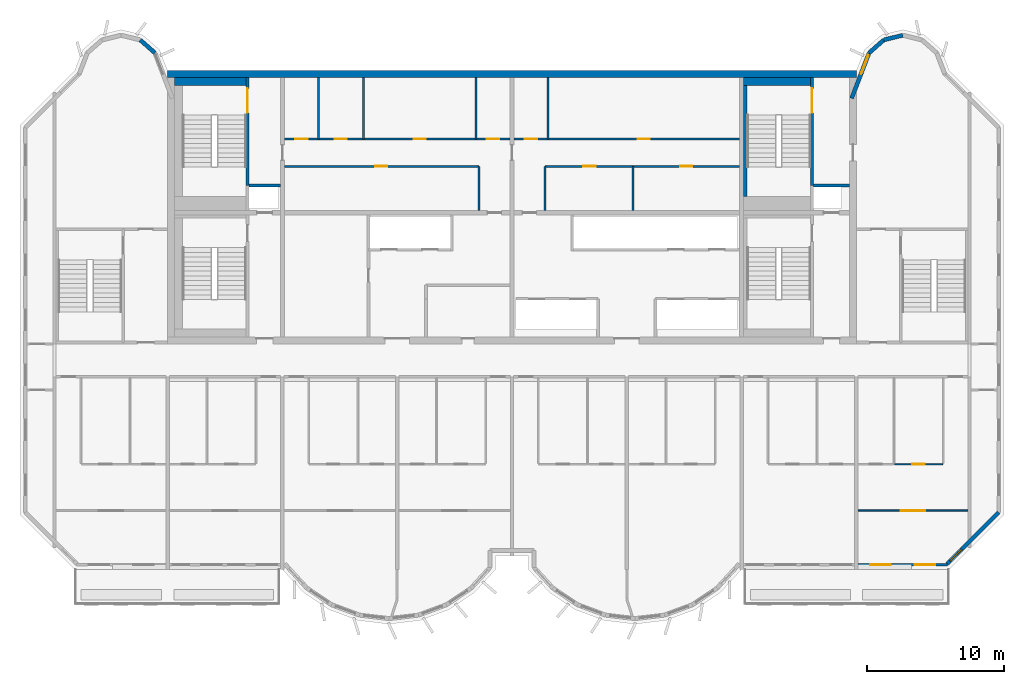
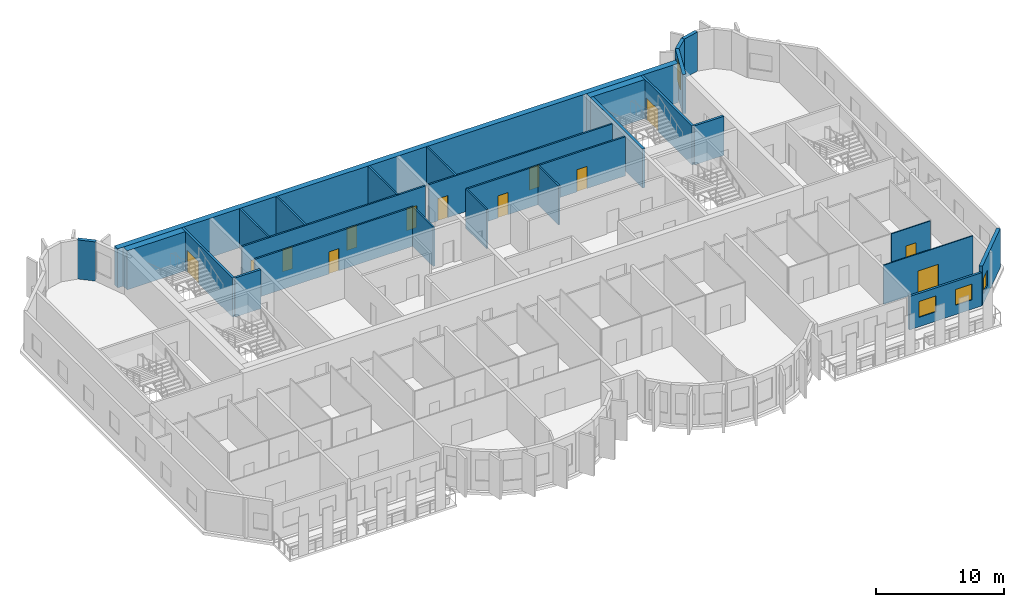
# One storey, part 7 of 12: 27 walls, 13 doors, 4 windows, 17 openings.
"""IFC4 building model written with IfcOpenShell, lengths in metres."""

from ifc_helpers import new_model, si_unit, direction, frame, frame_2d, origin, place, context, subcontext, project, spatial, rectangle, extrude, source, transform, mapped, material, layer, layer_set, type_object, element, fill, save


model = new_model("IFC4")

# Units and contexts
model_context = context("Model", 3, precision=1e-05, world=origin(), true_north=direction((0.0, 1.0)))
body_context = subcontext(model_context, "Body", "Model", "MODEL_VIEW")
ifc_project = project(units=[si_unit("LENGTHUNIT", "METRE"), si_unit("AREAUNIT", "SQUARE_METRE"), si_unit("VOLUMEUNIT", "CUBIC_METRE"), si_unit("PLANEANGLEUNIT", "RADIAN"), si_unit("MASSUNIT", "GRAM", prefix="KILO")], contexts=[model_context])

# Site, building, storey
site_placement = place(None, origin())
site = spatial("IfcSite", under=ifc_project, at=site_placement, CompositionType="ELEMENT")
building_placement = place(site_placement, origin())
building = spatial("IfcBuilding", under=site, at=building_placement, Name="Vanashikhar Sky Hotel", CompositionType="ELEMENT")
storey_placement = place(building_placement, frame((0.0, 0.0, 285.699951171875)))
storey = spatial("IfcBuildingStorey", under=building, at=storey_placement, Name="L68", CompositionType="ELEMENT", Elevation=285.699951171875)

# Wall
ifc_material_1 = material(Name="Concrete M50", Category="concrete")
ifc_layer_1 = layer(ifc_material_1, 0.5)
ifc_layer_set_1 = layer_set([ifc_layer_1], Name="RC core shell wall 500 Concrete M50")
wall_type_1 = type_object("IfcWallType", Name="RC core shell wall 500 Concrete M50", PredefinedType="SHEAR", material=ifc_layer_set_1)
shared_shape_1 = source(origin(), body_context, "Body", "SweptSolid", [
    extrude(rectangle(XDim=50.400146484375, YDim=0.5, at=frame_2d((25.2001953125, 0.0))), origin(), (0.0, 0.0, 1.0), 3.719970703125),
])
wall_1_placement = place(storey_placement, frame((25.199951171875, 41.75, 0.0), z_axis=(0.0, 0.0, 1.0), x_axis=(1.0, 0.0, 0.0)))
element("IfcWall", 1, at=wall_1_placement, inside=storey, type_object=wall_type_1, Name="KW-L68-KN", PredefinedType="SHEAR", context=body_context, shape_type="MappedRepresentation", body=[
    mapped(shared_shape_1, transform((0.0, 0.0, 0.0), scale=1.0)),
])

# Wall, openings, windows
ifc_layer_2 = layer(ifc_material_1, 0.199951171875)
ifc_layer_set_2 = layer_set([ifc_layer_2], Name="Front window wall 200")
wall_type_2 = type_object("IfcWallType", Name="Front window wall 200", PredefinedType="SOLIDWALL", material=ifc_layer_set_2)
shared_shape_2 = source(origin(), body_context, "Body", "SweptSolid", [
    extrude(rectangle(XDim=6.52978515625, YDim=0.199951171875, at=frame_2d((3.264892578125, 0.0))), origin(), (0.0, 0.0, 1.0), 3.170166015625),
])
wall_2_placement = place(storey_placement, frame((75.72509765625, 5.85009765625, 0.0), z_axis=(0.0, 0.0, 1.0), x_axis=(1.0, 0.0, 0.0)))
wall_2 = element("IfcWall", 2, at=wall_2_placement, inside=storey, type_object=wall_type_2, Name="Front window wall", PredefinedType="SOLIDWALL", context=body_context, shape_type="MappedRepresentation", body=[
    mapped(shared_shape_2, transform((0.0, 0.0, 0.0), scale=1.0)),
])
shared_shape_3 = source(origin(), body_context, "Body", "SweptSolid", [
    extrude(rectangle(XDim=1.5, YDim=1.5, at=frame_2d((0.75, 0.75))), frame((0.0, 0.10986328125, 0.0), z_axis=(0.0, -1.0, 0.0), x_axis=(1.0, 0.0, 0.0)), (0.0, 0.0, 1.0), 0.219970703125),
])
opening_1_placement = place(wall_2_placement, frame((0.882568359375, 0.0, 0.89990234375)))
opening_1 = element("IfcOpeningElement", 3, at=opening_1_placement, cuts=wall_2, Name="Opening WN-1", PredefinedType="OPENING", context=body_context, shape_type="MappedRepresentation", body=[
    mapped(shared_shape_3, transform((0.0, 0.0, 0.0), scale=1.0)),
])
opening_2_placement = place(wall_2_placement, frame((4.1474609375, 0.0, 0.89990234375)))
opening_2 = element("IfcOpeningElement", 4, at=opening_2_placement, cuts=wall_2, Name="Opening WN-1", PredefinedType="OPENING", context=body_context, shape_type="MappedRepresentation", body=[
    mapped(shared_shape_3, transform((0.0, 0.0, 0.0), scale=1.0)),
])
ifc_material_2 = material(Name="Glass", Category="glass")
window_type_1 = type_object("IfcWindowType", Name="Window 1500 x 1500", PartitioningType="SINGLE_PANEL", PredefinedType="WINDOW", material=ifc_material_2)
shared_shape_4 = source(origin(), body_context, "Body", "SweptSolid", [
    extrude(rectangle(XDim=1.5, YDim=1.5, at=frame_2d((0.75, 0.75))), frame((0.0, 0.030029296875, 0.0), z_axis=(0.0, -1.0, 0.0), x_axis=(1.0, 0.0, 0.0)), (0.0, 0.0, 1.0), 0.06005859375),
])
window_1_placement = place(opening_1_placement, origin())
window_1 = element("IfcWindow", 5, at=window_1_placement, inside=storey, type_object=window_type_1, Name="Window WN-1", OverallHeight=1.5, OverallWidth=1.5, PartitioningType="SINGLE_PANEL", PredefinedType="WINDOW", context=body_context, shape_type="MappedRepresentation", body=[
    mapped(shared_shape_4, transform((0.0, 0.0, 0.0), scale=1.0)),
])
fill(opening_1, window_1)
window_2_placement = place(opening_2_placement, origin())
window_2 = element("IfcWindow", 6, at=window_2_placement, inside=storey, type_object=window_type_1, Name="Window WN-1", OverallHeight=1.5, OverallWidth=1.5, PartitioningType="SINGLE_PANEL", PredefinedType="WINDOW", context=body_context, shape_type="MappedRepresentation", body=[
    mapped(shared_shape_4, transform((0.0, 0.0, 0.0), scale=1.0)),
])
fill(opening_2, window_2)

# Wall, opening, window
ifc_layer_3 = layer(ifc_material_1, 0.300048828125)
ifc_layer_set_3 = layer_set([ifc_layer_3], Name="Lobe wall 300")
wall_type_3 = type_object("IfcWallType", Name="Lobe wall 300", PredefinedType="SOLIDWALL", material=ifc_layer_set_3)
shared_shape_5 = source(origin(), body_context, "Body", "SweptSolid", [
    extrude(rectangle(XDim=5.32568359375, YDim=0.300048828125, at=frame_2d((2.662841796875, 0.0))), origin(), (0.0, 0.0, 1.0), 3.719970703125),
])
wall_3_placement = place(storey_placement, frame((82.234375, 5.89990234375, 0.0), z_axis=(0.0, 0.0, 1.0), x_axis=(0.707083859269, 0.707129702361, 0.0)))
wall_3 = element("IfcWall", 7, at=wall_3_placement, inside=storey, type_object=wall_type_3, Name="Corner wall", PredefinedType="SOLIDWALL", context=body_context, shape_type="MappedRepresentation", body=[
    mapped(shared_shape_5, transform((0.0, 0.0, 0.0), scale=1.0)),
])
shared_shape_6 = source(origin(), body_context, "Body", "SweptSolid", [
    extrude(rectangle(XDim=1.199951171875, YDim=1.5, at=frame_2d((0.60009765625, 0.75))), frame((0.0, 0.16015625, 0.0), z_axis=(0.0, -1.0, 0.0), x_axis=(1.0, 0.0, 0.0)), (0.0, 0.0, 1.0), 0.320068359375),
])
opening_3_placement = place(wall_3_placement, frame((0.31005859375, 0.0, 0.89990234375)))
opening_3 = element("IfcOpeningElement", 8, at=opening_3_placement, cuts=wall_3, Name="Opening WN-3", PredefinedType="OPENING", context=body_context, shape_type="MappedRepresentation", body=[
    mapped(shared_shape_6, transform((0.0, 0.0, 0.0), scale=1.0)),
])
window_type_2 = type_object("IfcWindowType", Name="Corridor end window 1200 x 1500", PartitioningType="SINGLE_PANEL", PredefinedType="WINDOW", material=ifc_material_2)
shared_shape_7 = source(origin(), body_context, "Body", "SweptSolid", [
    extrude(rectangle(XDim=1.199951171875, YDim=1.5, at=frame_2d((0.60009765625, 0.75))), frame((0.0, 0.030029296875, 0.0), z_axis=(0.0, -1.0, 0.0), x_axis=(1.0, 0.0, 0.0)), (0.0, 0.0, 1.0), 0.06005859375),
])
window_3_placement = place(opening_3_placement, origin())
window_3 = element("IfcWindow", 9, at=window_3_placement, inside=storey, type_object=window_type_2, Name="Window WN-3", OverallHeight=1.5, OverallWidth=1.199951171875, PartitioningType="SINGLE_PANEL", PredefinedType="WINDOW", context=body_context, shape_type="MappedRepresentation", body=[
    mapped(shared_shape_7, transform((0.0, 0.0, 0.0), scale=1.0)),
])
fill(opening_3, window_3)

# Walls
shared_shape_8 = source(origin(), body_context, "Body", "SweptSolid", [
    extrude(rectangle(XDim=1.43994140625, YDim=0.300048828125, at=frame_2d((0.719970703125, 0.0))), origin(), (0.0, 0.0, 1.0), 3.719970703125),
])
wall_4_placement = place(storey_placement, frame((77.602783203125, 44.2451171875, 0.0), z_axis=(0.0, 0.0, 1.0), x_axis=(-0.74957555648, -0.661918790432, 0.0)))
element("IfcWall", 10, at=wall_4_placement, inside=storey, type_object=wall_type_3, Name="Lobe wall", PredefinedType="SOLIDWALL", context=body_context, shape_type="MappedRepresentation", body=[
    mapped(shared_shape_8, transform((0.0, 0.0, 0.0), scale=1.0)),
])
shared_shape_9 = source(origin(), body_context, "Body", "SweptSolid", [
    extrude(rectangle(XDim=1.438720703125, YDim=0.300048828125, at=frame_2d((0.71923828125, 0.0))), origin(), (0.0, 0.0, 1.0), 3.719970703125),
])
wall_5_placement = place(storey_placement, frame((79.0, 44.588134765625, 0.0), z_axis=(0.0, 0.0, 1.0), x_axis=(-0.971161932466, -0.238420848351, 0.0)))
element("IfcWall", 11, at=wall_5_placement, inside=storey, type_object=wall_type_3, Name="Lobe wall", PredefinedType="SOLIDWALL", context=body_context, shape_type="MappedRepresentation", body=[
    mapped(shared_shape_9, transform((0.0, 0.0, 0.0), scale=1.0)),
])

# Wall, opening, window
shared_shape_10 = source(origin(), body_context, "Body", "SweptSolid", [
    extrude(rectangle(XDim=3.55908203125, YDim=0.300048828125, at=frame_2d((1.779541015625, 0.0))), origin(), (0.0, 0.0, 1.0), 3.719970703125),
])
wall_6_placement = place(storey_placement, frame((76.5234375, 43.2919921875, 0.0), z_axis=(0.0, 0.0, 1.0), x_axis=(-0.35779745313, -0.933799219604, 0.0)))
wall_6 = element("IfcWall", 12, at=wall_6_placement, inside=storey, type_object=wall_type_3, Name="Lobe wall", PredefinedType="SOLIDWALL", context=body_context, shape_type="MappedRepresentation", body=[
    mapped(shared_shape_10, transform((0.0, 0.0, 0.0), scale=1.0)),
])
shared_shape_11 = source(origin(), body_context, "Body", "SweptSolid", [
    extrude(rectangle(XDim=1.5, YDim=2.0, at=frame_2d((0.75, 1.0))), frame((0.0, 0.16015625, 0.0), z_axis=(0.0, -1.0, 0.0), x_axis=(1.0, 0.0, 0.0)), (0.0, 0.0, 1.0), 0.320068359375),
])
opening_4_placement = place(wall_6_placement, frame((0.156005859375, 0.0, 0.89990234375)))
opening_4 = element("IfcOpeningElement", 13, at=opening_4_placement, cuts=wall_6, Name="Opening WN-2", PredefinedType="OPENING", context=body_context, shape_type="MappedRepresentation", body=[
    mapped(shared_shape_11, transform((0.0, 0.0, 0.0), scale=1.0)),
])
window_type_3 = type_object("IfcWindowType", Name="Lobe window 1500 x 2000", PartitioningType="SINGLE_PANEL", PredefinedType="WINDOW", material=ifc_material_2)
shared_shape_12 = source(origin(), body_context, "Body", "SweptSolid", [
    extrude(rectangle(XDim=1.5, YDim=2.0, at=frame_2d((0.75, 1.0))), frame((0.0, 0.030029296875, 0.0), z_axis=(0.0, -1.0, 0.0), x_axis=(1.0, 0.0, 0.0)), (0.0, 0.0, 1.0), 0.06005859375),
])
window_4_placement = place(opening_4_placement, origin())
window_4 = element("IfcWindow", 14, at=window_4_placement, inside=storey, type_object=window_type_3, Name="Window WN-2", OverallHeight=2.0, OverallWidth=1.5, PartitioningType="SINGLE_PANEL", PredefinedType="WINDOW", context=body_context, shape_type="MappedRepresentation", body=[
    mapped(shared_shape_12, transform((0.0, 0.0, 0.0), scale=1.0)),
])
fill(opening_4, window_4)

# Walls
shared_shape_13 = source(origin(), body_context, "Body", "SweptSolid", [
    extrude(rectangle(XDim=1.440185546875, YDim=0.300048828125, at=frame_2d((0.72021484375, 0.0))), origin(), (0.0, 0.0, 1.0), 3.719970703125),
])
wall_7_placement = place(storey_placement, frame((24.276611328125, 43.2919921875, 0.0), z_axis=(0.0, 0.0, 1.0), x_axis=(-0.749649827867, 0.661834673902, 0.0)))
element("IfcWall", 15, at=wall_7_placement, inside=storey, type_object=wall_type_3, Name="Lobe wall", PredefinedType="SOLIDWALL", context=body_context, shape_type="MappedRepresentation", body=[
    mapped(shared_shape_13, transform((0.0, 0.0, 0.0), scale=1.0)),
])
ifc_material_3 = material(Name="Gypsum board partition")
ifc_layer_4 = layer(ifc_material_3, 0.14990234375)
ifc_layer_set_4 = layer_set([ifc_layer_4], Name="Service partition 150")
wall_type_4 = type_object("IfcWallType", Name="Service partition 150", PredefinedType="PARTITIONING", material=ifc_layer_set_4)
shared_shape_14 = source(origin(), body_context, "Body", "SweptSolid", [
    extrude(rectangle(XDim=3.25, YDim=0.14990234375, at=frame_2d((1.625, 0.0))), origin(), (0.0, 0.0, 1.0), 3.719970703125),
])
for number, where, z_axis, x_axis, name in (
    (16, (48.0, 31.75, 0.0), (0.0, 0.0, 1.0), (0.0, 1.0, 0.0), "Service partition 150"),
    (17, (52.800048828125, 31.75, 0.0), (0.0, 0.0, 1.0), (0.0, 1.0, 0.0), "Service partition 150"),
    (18, (59.25390625, 31.75, 0.0), (0.0, 0.0, 1.0), (0.0, 1.0, 0.0), "Service partition 150"),
):
    element("IfcWall", number, at=place(storey_placement, frame(where, z_axis=z_axis, x_axis=x_axis)), inside=storey, type_object=wall_type_4, Name=name, PredefinedType="PARTITIONING", context=body_context, shape_type="MappedRepresentation", body=[
        mapped(shared_shape_14, transform((0.0, 0.0, 0.0), scale=1.0)),
    ])

# Wall, opening, door
shared_shape_15 = source(origin(), body_context, "Body", "SweptSolid", [
    extrude(rectangle(XDim=14.25, YDim=0.14990234375, at=frame_2d((7.125, 0.0))), origin(), (0.0, 0.0, 1.0), 3.719970703125),
])
wall_8_placement = place(storey_placement, frame((33.75, 35.0, 0.0), z_axis=(0.0, 0.0, 1.0), x_axis=(1.0, 0.0, 0.0)))
wall_8 = element("IfcWall", 19, at=wall_8_placement, inside=storey, type_object=wall_type_4, Name="Service partition 150", PredefinedType="PARTITIONING", context=body_context, shape_type="MappedRepresentation", body=[
    mapped(shared_shape_15, transform((0.0, 0.0, 0.0), scale=1.0)),
])
shared_shape_16 = source(origin(), body_context, "Body", "SweptSolid", [
    extrude(rectangle(XDim=0.89990234375, YDim=2.10009765625, at=frame_2d((0.449951171875, 1.050048828125))), frame((0.0, 0.0849609375, 0.0), z_axis=(0.0, -1.0, 0.0), x_axis=(1.0, 0.0, 0.0)), (0.0, 0.0, 1.0), 0.169921875),
])
opening_5_placement = place(wall_8_placement, frame((6.636962890625, 0.0, 0.0)))
opening_5 = element("IfcOpeningElement", 20, at=opening_5_placement, cuts=wall_8, Name="Opening DC-4-A", PredefinedType="OPENING", context=body_context, shape_type="MappedRepresentation", body=[
    mapped(shared_shape_16, transform((0.0, 0.0, 0.0), scale=1.0)),
])
ifc_material_4 = material(Name="Steel", Category="steel")
door_type_1 = type_object("IfcDoorType", Name="Service door 900 FD60", OperationType="NOTDEFINED", PredefinedType="DOOR", material=ifc_material_4)
shared_shape_17 = source(origin(), body_context, "Body", "SweptSolid", [
    extrude(rectangle(XDim=0.89990234375, YDim=2.10009765625, at=frame_2d((0.449951171875, 1.050048828125))), frame((0.0, 0.02490234375, 0.0), z_axis=(0.0, -1.0, 0.0), x_axis=(1.0, 0.0, 0.0)), (0.0, 0.0, 1.0), 0.050048828125),
])
door_1_placement = place(opening_5_placement, origin())
door_1 = element("IfcDoor", 21, at=door_1_placement, inside=storey, type_object=door_type_1, Name="Service door 900 FD60", OperationType="SINGLE_SWING_LEFT", OverallHeight=2.10009765625, OverallWidth=0.89990234375, PredefinedType="DOOR", context=body_context, shape_type="MappedRepresentation", body=[
    mapped(shared_shape_17, transform((0.0, 0.0, 0.0), scale=1.0)),
])
fill(opening_5, door_1)

# Wall, openings, doors
wall_9_placement = place(storey_placement, frame((67.050048828125, 35.0, 0.0), z_axis=(0.0, 0.0, 1.0), x_axis=(-1.0, 0.0, 0.0)))
wall_9 = element("IfcWall", 22, at=wall_9_placement, inside=storey, type_object=wall_type_4, Name="Service partition 150", PredefinedType="PARTITIONING", context=body_context, shape_type="MappedRepresentation", body=[
    mapped(shared_shape_15, transform((0.0, 0.0, 0.0), scale=1.0)),
])
opening_6_placement = place(wall_9_placement, frame((3.447998046875, 0.0, 0.0)))
opening_6 = element("IfcOpeningElement", 23, at=opening_6_placement, cuts=wall_9, Name="Opening DC-4-A", PredefinedType="OPENING", context=body_context, shape_type="MappedRepresentation", body=[
    mapped(shared_shape_16, transform((0.0, 0.0, 0.0), scale=1.0)),
])
opening_7_placement = place(wall_9_placement, frame((10.535888671875, 0.0, 0.0)))
opening_7 = element("IfcOpeningElement", 24, at=opening_7_placement, cuts=wall_9, Name="Opening DC-4-A", PredefinedType="OPENING", context=body_context, shape_type="MappedRepresentation", body=[
    mapped(shared_shape_16, transform((0.0, 0.0, 0.0), scale=1.0)),
])
door_2_placement = place(opening_6_placement, origin())
door_2 = element("IfcDoor", 25, at=door_2_placement, inside=storey, type_object=door_type_1, Name="Service door 900 FD60", OperationType="SINGLE_SWING_RIGHT", OverallHeight=2.10009765625, OverallWidth=0.89990234375, PredefinedType="DOOR", context=body_context, shape_type="MappedRepresentation", body=[
    mapped(shared_shape_17, transform((0.0, 0.0, 0.0), scale=1.0)),
])
fill(opening_6, door_2)
door_3_placement = place(opening_7_placement, origin())
door_3 = element("IfcDoor", 26, at=door_3_placement, inside=storey, type_object=door_type_1, Name="Service door 900 FD60", OperationType="SINGLE_SWING_RIGHT", OverallHeight=2.10009765625, OverallWidth=0.89990234375, PredefinedType="DOOR", context=body_context, shape_type="MappedRepresentation", body=[
    mapped(shared_shape_17, transform((0.0, 0.0, 0.0), scale=1.0)),
])
fill(opening_7, door_3)

shared_shape_18 = source(origin(), body_context, "Body", "SweptSolid", [
    extrude(rectangle(XDim=16.5, YDim=0.14990234375, at=frame_2d((8.25, 0.0))), origin(), (0.0, 0.0, 1.0), 3.719970703125),
])
wall_10_placement = place(storey_placement, frame((33.75, 37.0, 0.0), z_axis=(0.0, 0.0, 1.0), x_axis=(1.0, 0.0, 0.0)))
wall_10 = element("IfcWall", 27, at=wall_10_placement, inside=storey, type_object=wall_type_4, Name="Service partition 150", PredefinedType="PARTITIONING", context=body_context, shape_type="MappedRepresentation", body=[
    mapped(shared_shape_18, transform((0.0, 0.0, 0.0), scale=1.0)),
])
opening_8_placement = place(wall_10_placement, frame((0.787109375, 0.0, 0.0)))
opening_8 = element("IfcOpeningElement", 28, at=opening_8_placement, cuts=wall_10, Name="Opening DC-4-A", PredefinedType="OPENING", context=body_context, shape_type="MappedRepresentation", body=[
    mapped(shared_shape_16, transform((0.0, 0.0, 0.0), scale=1.0)),
])
opening_9_placement = place(wall_10_placement, frame((3.675048828125, 0.0, 0.0)))
opening_9 = element("IfcOpeningElement", 29, at=opening_9_placement, cuts=wall_10, Name="Opening DC-4-A", PredefinedType="OPENING", context=body_context, shape_type="MappedRepresentation", body=[
    mapped(shared_shape_16, transform((0.0, 0.0, 0.0), scale=1.0)),
])
opening_10_placement = place(wall_10_placement, frame((9.449951171875, 0.0, 0.0)))
opening_10 = element("IfcOpeningElement", 30, at=opening_10_placement, cuts=wall_10, Name="Opening DC-4-A", PredefinedType="OPENING", context=body_context, shape_type="MappedRepresentation", body=[
    mapped(shared_shape_16, transform((0.0, 0.0, 0.0), scale=1.0)),
])
opening_11_placement = place(wall_10_placement, frame((14.81298828125, 0.0, 0.0)))
opening_11 = element("IfcOpeningElement", 31, at=opening_11_placement, cuts=wall_10, Name="Opening DC-4-A", PredefinedType="OPENING", context=body_context, shape_type="MappedRepresentation", body=[
    mapped(shared_shape_16, transform((0.0, 0.0, 0.0), scale=1.0)),
])
door_4_placement = place(opening_8_placement, origin())
door_4 = element("IfcDoor", 32, at=door_4_placement, inside=storey, type_object=door_type_1, Name="Service door 900 FD60", OperationType="SINGLE_SWING_RIGHT", OverallHeight=2.10009765625, OverallWidth=0.89990234375, PredefinedType="DOOR", context=body_context, shape_type="MappedRepresentation", body=[
    mapped(shared_shape_17, transform((0.0, 0.0, 0.0), scale=1.0)),
])
fill(opening_8, door_4)
door_5_placement = place(opening_9_placement, origin())
door_5 = element("IfcDoor", 33, at=door_5_placement, inside=storey, type_object=door_type_1, Name="Service door 900 FD60", OperationType="SINGLE_SWING_RIGHT", OverallHeight=2.10009765625, OverallWidth=0.89990234375, PredefinedType="DOOR", context=body_context, shape_type="MappedRepresentation", body=[
    mapped(shared_shape_17, transform((0.0, 0.0, 0.0), scale=1.0)),
])
fill(opening_9, door_5)
door_6_placement = place(opening_10_placement, origin())
door_6 = element("IfcDoor", 34, at=door_6_placement, inside=storey, type_object=door_type_1, Name="Service door 900 FD60", OperationType="SINGLE_SWING_RIGHT", OverallHeight=2.10009765625, OverallWidth=0.89990234375, PredefinedType="DOOR", context=body_context, shape_type="MappedRepresentation", body=[
    mapped(shared_shape_17, transform((0.0, 0.0, 0.0), scale=1.0)),
])
fill(opening_10, door_6)
door_7_placement = place(opening_11_placement, origin())
door_7 = element("IfcDoor", 35, at=door_7_placement, inside=storey, type_object=door_type_1, Name="Service door 900 FD60", OperationType="SINGLE_SWING_LEFT", OverallHeight=2.10009765625, OverallWidth=0.89990234375, PredefinedType="DOOR", context=body_context, shape_type="MappedRepresentation", body=[
    mapped(shared_shape_17, transform((0.0, 0.0, 0.0), scale=1.0)),
])
fill(opening_11, door_7)

wall_11_placement = place(storey_placement, frame((67.050048828125, 37.0, 0.0), z_axis=(0.0, 0.0, 1.0), x_axis=(-1.0, 0.0, 0.0)))
wall_11 = element("IfcWall", 36, at=wall_11_placement, inside=storey, type_object=wall_type_4, Name="Service partition 150", PredefinedType="PARTITIONING", context=body_context, shape_type="MappedRepresentation", body=[
    mapped(shared_shape_18, transform((0.0, 0.0, 0.0), scale=1.0)),
])
opening_12_placement = place(wall_11_placement, frame((6.56298828125, 0.0, 0.0)))
opening_12 = element("IfcOpeningElement", 37, at=opening_12_placement, cuts=wall_11, Name="Opening DC-4-A", PredefinedType="OPENING", context=body_context, shape_type="MappedRepresentation", body=[
    mapped(shared_shape_16, transform((0.0, 0.0, 0.0), scale=1.0)),
])
opening_13_placement = place(wall_11_placement, frame((14.81298828125, 0.0, 0.0)))
opening_13 = element("IfcOpeningElement", 38, at=opening_13_placement, cuts=wall_11, Name="Opening DC-4-A", PredefinedType="OPENING", context=body_context, shape_type="MappedRepresentation", body=[
    mapped(shared_shape_16, transform((0.0, 0.0, 0.0), scale=1.0)),
])
door_8_placement = place(opening_12_placement, origin())
door_8 = element("IfcDoor", 39, at=door_8_placement, inside=storey, type_object=door_type_1, Name="Service door 900 FD60", OperationType="SINGLE_SWING_RIGHT", OverallHeight=2.10009765625, OverallWidth=0.89990234375, PredefinedType="DOOR", context=body_context, shape_type="MappedRepresentation", body=[
    mapped(shared_shape_17, transform((0.0, 0.0, 0.0), scale=1.0)),
])
fill(opening_12, door_8)
door_9_placement = place(opening_13_placement, origin())
door_9 = element("IfcDoor", 40, at=door_9_placement, inside=storey, type_object=door_type_1, Name="Service door 900 FD60", OperationType="SINGLE_SWING_LEFT", OverallHeight=2.10009765625, OverallWidth=0.89990234375, PredefinedType="DOOR", context=body_context, shape_type="MappedRepresentation", body=[
    mapped(shared_shape_17, transform((0.0, 0.0, 0.0), scale=1.0)),
])
fill(opening_13, door_9)

# Walls
shared_shape_19 = source(origin(), body_context, "Body", "SweptSolid", [
    extrude(rectangle(XDim=4.5, YDim=0.14990234375, at=frame_2d((2.25, 0.0))), origin(), (0.0, 0.0, 1.0), 3.719970703125),
])
for number, where, z_axis, x_axis, name in (
    (41, (36.22509765625, 37.0, 0.0), (0.0, 0.0, 1.0), (0.0, 1.0, 0.0), "Service partition 150"),
    (42, (39.52490234375, 37.0, 0.0), (0.0, 0.0, 1.0), (0.0, 1.0, 0.0), "Service partition 150"),
    (43, (47.77490234375, 37.0, 0.0), (0.0, 0.0, 1.0), (0.0, 1.0, 0.0), "Service partition 150"),
    (44, (53.02490234375, 37.0, 0.0), (0.0, 0.0, 1.0), (0.0, 1.0, 0.0), "Service partition 150"),
):
    element("IfcWall", number, at=place(storey_placement, frame(where, z_axis=z_axis, x_axis=x_axis)), inside=storey, type_object=wall_type_4, Name=name, PredefinedType="PARTITIONING", context=body_context, shape_type="MappedRepresentation", body=[
        mapped(shared_shape_19, transform((0.0, 0.0, 0.0), scale=1.0)),
    ])
ifc_material_5 = material(Name="Concrete M40", Category="concrete")
ifc_layer_5 = layer(ifc_material_5, 0.199951171875)
ifc_layer_set_5 = layer_set([ifc_layer_5], Name="Shaft wall 200")
wall_type_5 = type_object("IfcWallType", Name="Shaft wall 200", PredefinedType="SOLIDWALL", material=ifc_layer_set_5)
shared_shape_20 = source(origin(), body_context, "Body", "SweptSolid", [
    extrude(rectangle(XDim=2.300048828125, YDim=0.199951171875, at=frame_2d((1.14990234375, 0.0))), origin(), (0.0, 0.0, 1.0), 3.719970703125),
])
wall_12_placement = place(storey_placement, frame((31.14990234375, 33.60009765625, 0.0), z_axis=(0.0, 0.0, 1.0), x_axis=(1.0, 0.0, 0.0)))
element("IfcWall", 45, at=wall_12_placement, inside=storey, type_object=wall_type_5, Name="Shaft wall 200", PredefinedType="SOLIDWALL", context=body_context, shape_type="MappedRepresentation", body=[
    mapped(shared_shape_20, transform((0.0, 0.0, 0.0), scale=1.0)),
])

# Wall, opening, door
ifc_layer_6 = layer(ifc_material_1, 0.199951171875)
ifc_layer_set_6 = layer_set([ifc_layer_6], Name="Stair wall 200")
wall_type_6 = type_object("IfcWallType", Name="Stair wall 200", PredefinedType="SOLIDWALL", material=ifc_layer_set_6)
shared_shape_21 = source(origin(), body_context, "Body", "SweptSolid", [
    extrude(rectangle(XDim=7.89990234375, YDim=0.199951171875, at=frame_2d((3.949951171875, 0.0))), origin(), (0.0, 0.0, 1.0), 3.719970703125),
])
wall_13_placement = place(storey_placement, frame((31.050048828125, 33.60009765625, 0.0), z_axis=(0.0, 0.0, 1.0), x_axis=(0.0, 1.0, 0.0)))
wall_13 = element("IfcWall", 46, at=wall_13_placement, inside=storey, type_object=wall_type_6, Name="Stair wall 200", PredefinedType="SOLIDWALL", context=body_context, shape_type="MappedRepresentation", body=[
    mapped(shared_shape_21, transform((0.0, 0.0, 0.0), scale=1.0)),
])
shared_shape_22 = source(origin(), body_context, "Body", "SweptSolid", [
    extrude(rectangle(XDim=1.800048828125, YDim=2.10009765625, at=frame_2d((0.89990234375, 1.050048828125))), frame((0.0, 0.10986328125, 0.0), z_axis=(0.0, -1.0, 0.0), x_axis=(1.0, 0.0, 0.0)), (0.0, 0.0, 1.0), 0.219970703125),
])
opening_14_placement = place(wall_13_placement, frame((5.300048828125, 0.0, 0.0)))
opening_14 = element("IfcOpeningElement", 47, at=opening_14_placement, cuts=wall_13, Name="Opening DC-1-A", PredefinedType="OPENING", context=body_context, shape_type="MappedRepresentation", body=[
    mapped(shared_shape_22, transform((0.0, 0.0, 0.0), scale=1.0)),
])
door_type_2 = type_object("IfcDoorType", Name="Stair door 1800 FD120", OperationType="NOTDEFINED", PredefinedType="DOOR", material=ifc_material_4)
shared_shape_23 = source(origin(), body_context, "Body", "SweptSolid", [
    extrude(rectangle(XDim=1.800048828125, YDim=2.10009765625, at=frame_2d((0.89990234375, 1.050048828125))), frame((0.0, 0.02490234375, 0.0), z_axis=(0.0, -1.0, 0.0), x_axis=(1.0, 0.0, 0.0)), (0.0, 0.0, 1.0), 0.050048828125),
])
door_10_placement = place(opening_14_placement, origin())
door_10 = element("IfcDoor", 48, at=door_10_placement, inside=storey, type_object=door_type_2, Name="Stair door 1800 FD120", OperationType="SINGLE_SWING_LEFT", OverallHeight=2.10009765625, OverallWidth=1.800048828125, PredefinedType="DOOR", context=body_context, shape_type="MappedRepresentation", body=[
    mapped(shared_shape_23, transform((0.0, 0.0, 0.0), scale=1.0)),
])
fill(opening_14, door_10)

wall_14_placement = place(storey_placement, frame((72.35009765625, 33.60009765625, 0.0), z_axis=(0.0, 0.0, 1.0), x_axis=(0.0, 1.0, 0.0)))
wall_14 = element("IfcWall", 49, at=wall_14_placement, inside=storey, type_object=wall_type_6, Name="Stair wall 200", PredefinedType="SOLIDWALL", context=body_context, shape_type="MappedRepresentation", body=[
    mapped(shared_shape_21, transform((0.0, 0.0, 0.0), scale=1.0)),
])
opening_15_placement = place(wall_14_placement, frame((5.300048828125, 0.0, 0.0)))
opening_15 = element("IfcOpeningElement", 50, at=opening_15_placement, cuts=wall_14, Name="Opening DC-1-A", PredefinedType="OPENING", context=body_context, shape_type="MappedRepresentation", body=[
    mapped(shared_shape_22, transform((0.0, 0.0, 0.0), scale=1.0)),
])
door_11_placement = place(opening_15_placement, origin())
door_11 = element("IfcDoor", 51, at=door_11_placement, inside=storey, type_object=door_type_2, Name="Stair door 1800 FD120", OperationType="SINGLE_SWING_LEFT", OverallHeight=2.10009765625, OverallWidth=1.800048828125, PredefinedType="DOOR", context=body_context, shape_type="MappedRepresentation", body=[
    mapped(shared_shape_23, transform((0.0, 0.0, 0.0), scale=1.0)),
])
fill(opening_15, door_11)

# Walls
shared_shape_24 = source(origin(), body_context, "Body", "SweptSolid", [
    extrude(rectangle(XDim=2.650146484375, YDim=0.199951171875, at=frame_2d((1.3251953125, 0.0))), origin(), (0.0, 0.0, 1.0), 3.719970703125),
])
wall_15_placement = place(storey_placement, frame((72.449951171875, 33.60009765625, 0.0), z_axis=(0.0, 0.0, 1.0), x_axis=(1.0, 0.0, 0.0)))
element("IfcWall", 52, at=wall_15_placement, inside=storey, type_object=wall_type_5, Name="Shaft wall 200", PredefinedType="SOLIDWALL", context=body_context, shape_type="MappedRepresentation", body=[
    mapped(shared_shape_24, transform((0.0, 0.0, 0.0), scale=1.0)),
])
ifc_layer_7 = layer(ifc_material_1, 0.60009765625)
ifc_layer_set_7 = layer_set([ifc_layer_7], Name="Stair infill wall 600")
wall_type_7 = type_object("IfcWallType", Name="Stair infill wall 600", PredefinedType="SOLIDWALL", material=ifc_layer_set_7)
shared_shape_25 = source(origin(), body_context, "Body", "SweptSolid", [
    extrude(rectangle(XDim=5.25, YDim=0.60009765625, at=frame_2d((2.625, 0.0))), origin(), (0.0, 0.0, 1.0), 3.719970703125),
])
wall_16_placement = place(storey_placement, frame((25.699951171875, 41.199951171875, 0.0), z_axis=(0.0, 0.0, 1.0), x_axis=(1.0, 0.0, 0.0)))
element("IfcWall", 53, at=wall_16_placement, inside=storey, type_object=wall_type_7, Name="Stair infill wall 600", PredefinedType="SOLIDWALL", context=body_context, shape_type="MappedRepresentation", body=[
    mapped(shared_shape_25, transform((0.0, 0.0, 0.0), scale=1.0)),
])
shared_shape_26 = source(origin(), body_context, "Body", "SweptSolid", [
    extrude(rectangle(XDim=4.89990234375, YDim=0.60009765625, at=frame_2d((2.449951171875, 0.0))), origin(), (0.0, 0.0, 1.0), 3.719970703125),
])
wall_17_placement = place(storey_placement, frame((67.35009765625, 41.199951171875, 0.0), z_axis=(0.0, 0.0, 1.0), x_axis=(1.0, 0.0, 0.0)))
element("IfcWall", 54, at=wall_17_placement, inside=storey, type_object=wall_type_7, Name="Stair infill wall 600", PredefinedType="SOLIDWALL", context=body_context, shape_type="MappedRepresentation", body=[
    mapped(shared_shape_26, transform((0.0, 0.0, 0.0), scale=1.0)),
])
ifc_layer_8 = layer(ifc_material_1, 0.25)
ifc_layer_set_8 = layer_set([ifc_layer_8], Name="Stair infill wall 250")
wall_type_8 = type_object("IfcWallType", Name="Stair infill wall 250", PredefinedType="SOLIDWALL", material=ifc_layer_set_8)
shared_shape_27 = source(origin(), body_context, "Body", "SweptSolid", [
    extrude(rectangle(XDim=8.099853515625, YDim=0.25, at=frame_2d((4.0498046875, 0.0))), origin(), (0.0, 0.0, 1.0), 3.719970703125),
])
wall_18_placement = place(storey_placement, frame((67.47509765625, 32.800048828125, 0.0), z_axis=(0.0, 0.0, 1.0), x_axis=(0.0, 1.0, 0.0)))
element("IfcWall", 55, at=wall_18_placement, inside=storey, type_object=wall_type_8, Name="Stair infill wall 250", PredefinedType="SOLIDWALL", context=body_context, shape_type="MappedRepresentation", body=[
    mapped(shared_shape_27, transform((0.0, 0.0, 0.0), scale=1.0)),
])

# Wall, opening, door
ifc_material_6 = material(Name="Gypsum plasterboard partition")
ifc_layer_9 = layer(ifc_material_6, 0.10009765625)
ifc_layer_set_9 = layer_set([ifc_layer_9], Name="Wet room partition 100")
wall_type_9 = type_object("IfcWallType", Name="Wet room partition 100", PredefinedType="PARTITIONING", material=ifc_layer_set_9)
shared_shape_28 = source(origin(), body_context, "Body", "SweptSolid", [
    extrude(rectangle(XDim=3.5, YDim=0.10009765625, at=frame_2d((1.75, 0.0))), origin(), (0.0, 0.0, 1.0), 3.719970703125),
])
wall_19_placement = place(storey_placement, frame((78.39990234375, 13.199951171875, 0.0), z_axis=(0.0, 0.0, 1.0), x_axis=(1.0, 0.0, 0.0)))
wall_19 = element("IfcWall", 56, at=wall_19_placement, inside=storey, type_object=wall_type_9, Name="W-L68-PW042", PredefinedType="PARTITIONING", context=body_context, shape_type="MappedRepresentation", body=[
    mapped(shared_shape_28, transform((0.0, 0.0, 0.0), scale=1.0)),
])
shared_shape_29 = source(origin(), body_context, "Body", "SweptSolid", [
    extrude(rectangle(XDim=0.89990234375, YDim=2.10009765625, at=frame_2d((0.449951171875, 1.050048828125))), frame((0.0, 0.06005859375, 0.0), z_axis=(0.0, -1.0, 0.0), x_axis=(1.0, 0.0, 0.0)), (0.0, 0.0, 1.0), 0.1201171875),
])
opening_16_placement = place(wall_19_placement, frame((1.300048828125, 0.0, 0.0)))
opening_16 = element("IfcOpeningElement", 57, at=opening_16_placement, cuts=wall_19, Name="Opening D-02", PredefinedType="OPENING", context=body_context, shape_type="MappedRepresentation", body=[
    mapped(shared_shape_29, transform((0.0, 0.0, 0.0), scale=1.0)),
])
ifc_material_7 = material(Name="Timber door", Category="wood")
door_type_3 = type_object("IfcDoorType", Name="Internal door 900", OperationType="NOTDEFINED", PredefinedType="DOOR", material=ifc_material_7)
door_12_placement = place(opening_16_placement, origin())
door_12 = element("IfcDoor", 58, at=door_12_placement, inside=storey, type_object=door_type_3, Name="D-L68-026", OperationType="SINGLE_SWING_RIGHT", OverallHeight=2.10009765625, OverallWidth=0.89990234375, PredefinedType="DOOR", context=body_context, shape_type="MappedRepresentation", body=[
    mapped(shared_shape_17, transform((0.0, 0.0, 0.0), scale=1.0)),
])
fill(opening_16, door_12)

shared_shape_30 = source(origin(), body_context, "Body", "SweptSolid", [
    extrude(rectangle(XDim=8.02490234375, YDim=0.10009765625, at=frame_2d((4.012451171875, 0.0))), origin(), (0.0, 0.0, 1.0), 3.719970703125),
])
wall_20_placement = place(storey_placement, frame((75.72509765625, 9.802001953125, 0.0), z_axis=(0.0, 0.0, 1.0), x_axis=(1.0, 0.0, 0.0)))
wall_20 = element("IfcWall", 59, at=wall_20_placement, inside=storey, type_object=wall_type_9, Name="W-L68-PW044", PredefinedType="PARTITIONING", context=body_context, shape_type="MappedRepresentation", body=[
    mapped(shared_shape_30, transform((0.0, 0.0, 0.0), scale=1.0)),
])
shared_shape_31 = source(origin(), body_context, "Body", "SweptSolid", [
    extrude(rectangle(XDim=1.800048828125, YDim=2.10009765625, at=frame_2d((0.89990234375, 1.050048828125))), frame((0.0, 0.06005859375, 0.0), z_axis=(0.0, -1.0, 0.0), x_axis=(1.0, 0.0, 0.0)), (0.0, 0.0, 1.0), 0.1201171875),
])
opening_17_placement = place(wall_20_placement, frame((3.112060546875, 0.0, 0.0)))
opening_17 = element("IfcOpeningElement", 60, at=opening_17_placement, cuts=wall_20, Name="Opening D-08", PredefinedType="OPENING", context=body_context, shape_type="MappedRepresentation", body=[
    mapped(shared_shape_31, transform((0.0, 0.0, 0.0), scale=1.0)),
])
door_type_4 = type_object("IfcDoorType", Name="Double leaf door 1800", OperationType="NOTDEFINED", PredefinedType="DOOR", material=ifc_material_7)
door_13_placement = place(opening_17_placement, origin())
door_13 = element("IfcDoor", 61, at=door_13_placement, inside=storey, type_object=door_type_4, Name="D-L68-028", OperationType="DOUBLE_DOOR_SINGLE_SWING", OverallHeight=2.10009765625, OverallWidth=1.800048828125, PredefinedType="DOOR", context=body_context, shape_type="MappedRepresentation", body=[
    mapped(shared_shape_23, transform((0.0, 0.0, 0.0), scale=1.0)),
])
fill(opening_17, door_13)

save(model, "model.ifc")
